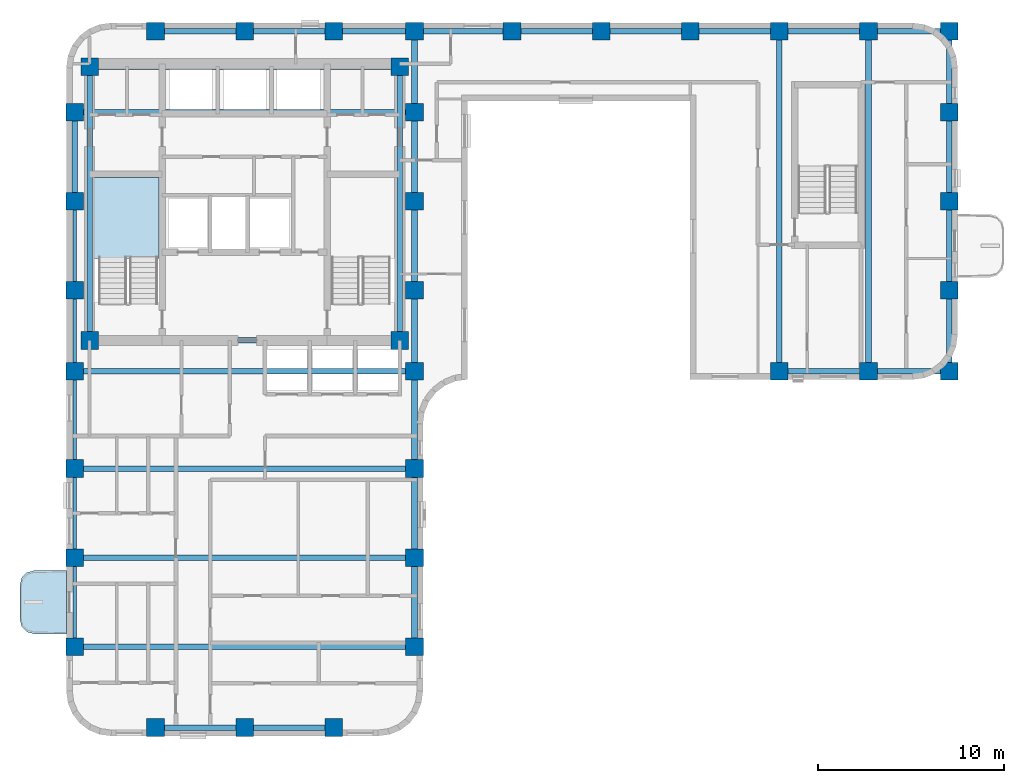
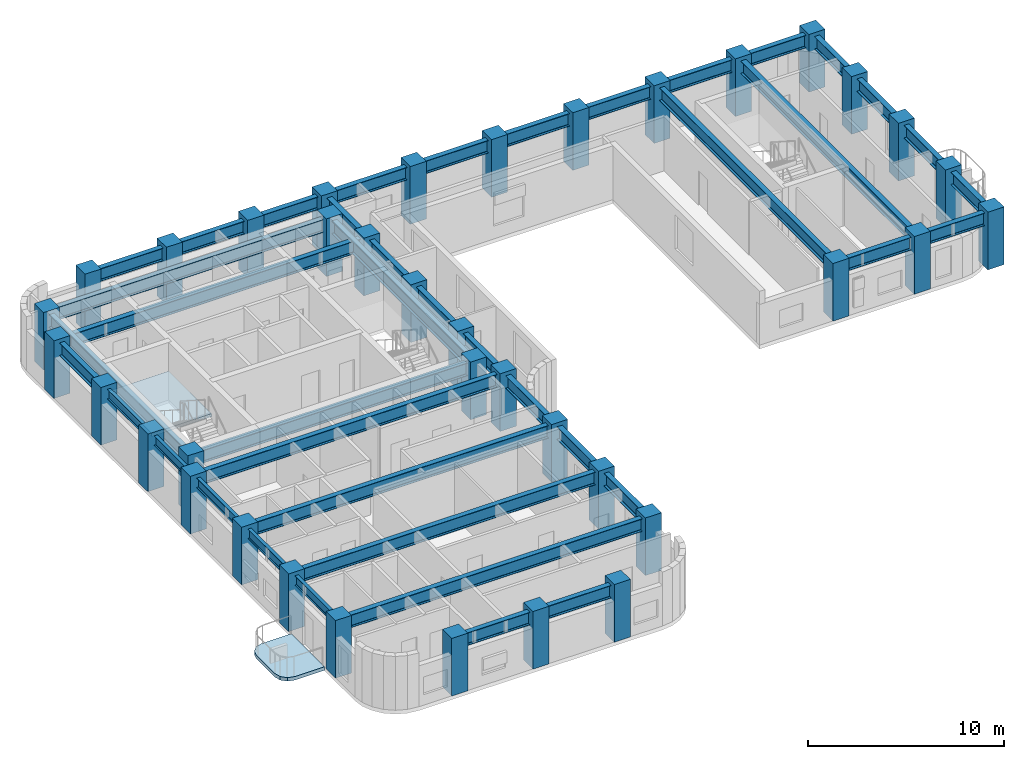
# One storey, part 1 of 10: 41 beams, 37 columns, 2 slabs, 1 element without a shape of its own.
"""IFC4 building model written with IfcOpenShell, lengths in metres."""

from ifc_helpers import new_model, si_unit, direction, frame, origin, origin_2d, place, context, subcontext, project, spatial, polyline, rectangle, i_section, outline, extrude, material, layer, layer_set, material_profile, profile_set, type_object, element, aggregate, save


model = new_model("IFC4")

# Units and contexts
model_context = context("Model", 3, precision=1e-05, world=origin(), true_north=direction((0.0, 1.0)))
body_context = subcontext(model_context, "Body", "Model", "MODEL_VIEW")
ifc_project = project(units=[si_unit("LENGTHUNIT", "METRE"), si_unit("AREAUNIT", "SQUARE_METRE"), si_unit("VOLUMEUNIT", "CUBIC_METRE"), si_unit("PLANEANGLEUNIT", "RADIAN"), si_unit("MASSUNIT", "GRAM", prefix="KILO")], contexts=[model_context])

# Site, building, storey
site_placement = place(None, origin())
site = spatial("IfcSite", under=ifc_project, at=site_placement, CompositionType="ELEMENT")
building_placement = place(site_placement, origin())
building = spatial("IfcBuilding", under=site, at=building_placement, Name="Orvandelia Arch Residences", CompositionType="ELEMENT")
storey_placement = place(building_placement, frame((0.0, 0.0, 179.199951171875)))
storey = spatial("IfcBuildingStorey", under=building, at=storey_placement, Name="L47", CompositionType="ELEMENT", Elevation=179.199951171875)

# Columns
ifc_material_1 = material(Name="Concrete C60/75", Category="concrete")
ifc_material_profile_1 = material_profile(ifc_material_1, rectangle(XDim=0.949951171875, YDim=0.949951171875, at=origin_2d()), Name="Concrete C60/75", Category="concrete")
ifc_profile_set_1 = profile_set([ifc_material_profile_1], Name="Concrete C60/75")
column_type = type_object("IfcColumnType", Name="COL-TWR-950", PredefinedType="COLUMN", material=ifc_profile_set_1)
for number, where, z_axis, x_axis, name in (
    (1, (5.25, 14.39990234375, 0.0), (0.0, 0.0, 1.0), (1.0, 0.0, 0.0), "Structural Column L47-W-W-144"),
    (2, (5.25, 19.199951171875, 0.0), (0.0, 0.0, 1.0), (1.0, 0.0, 0.0), "Structural Column L47-W-W-192"),
    (3, (5.25, 24.0, 0.0), (0.0, 0.0, 1.0), (1.0, 0.0, 0.0), "Structural Column L47-W-W-240"),
    (4, (5.25, 29.25, 0.0), (0.0, 0.0, 1.0), (1.0, 0.0, 0.0), "Structural Column L47-W-W-292"),
    (5, (5.25, 33.60009765625, 0.0), (0.0, 0.0, 1.0), (1.0, 0.0, 0.0), "Structural Column L47-W-W-336"),
    (6, (5.25, 38.39990234375, 0.0), (0.0, 0.0, 1.0), (1.0, 0.0, 0.0), "Structural Column L47-W-W-384"),
    (7, (5.25, 43.199951171875, 0.0), (0.0, 0.0, 1.0), (1.0, 0.0, 0.0), "Structural Column L47-W-W-432"),
    (8, (6.050048828125, 30.89990234375, 0.0), (0.0, 0.0, 1.0), (1.0, 0.0, 0.0), "Structural Column L47-CR-SW"),
    (9, (6.050048828125, 45.64990234375, 0.0), (0.0, 0.0, 1.0), (1.0, 0.0, 0.0), "Structural Column L47-CR-NW"),
    (10, (9.60009765625, 10.050048828125, 0.0), (0.0, 0.0, 1.0), (1.0, 0.0, 0.0), "Structural Column L47-W-S-96"),
    (11, (9.60009765625, 47.550048828125, 0.0), (0.0, 0.0, 1.0), (1.0, 0.0, 0.0), "Structural Column L47-W-N-96"),
    (12, (14.39990234375, 10.050048828125, 0.0), (0.0, 0.0, 1.0), (1.0, 0.0, 0.0), "Structural Column L47-W-S-144"),
    (13, (14.39990234375, 47.550048828125, 0.0), (0.0, 0.0, 1.0), (1.0, 0.0, 0.0), "Structural Column L47-W-N-144"),
    (14, (19.199951171875, 10.050048828125, 0.0), (0.0, 0.0, 1.0), (1.0, 0.0, 0.0), "Structural Column L47-W-S-192"),
    (15, (19.199951171875, 47.550048828125, 0.0), (0.0, 0.0, 1.0), (1.0, 0.0, 0.0), "Structural Column L47-W-N-192"),
    (16, (22.75, 30.89990234375, 0.0), (0.0, 0.0, 1.0), (1.0, 0.0, 0.0), "Structural Column L47-CR-SE"),
    (17, (22.75, 45.64990234375, 0.0), (0.0, 0.0, 1.0), (1.0, 0.0, 0.0), "Structural Column L47-CR-NE"),
    (18, (23.550048828125, 14.39990234375, 0.0), (0.0, 0.0, 1.0), (1.0, 0.0, 0.0), "Structural Column L47-W-E-144"),
    (19, (23.550048828125, 19.199951171875, 0.0), (0.0, 0.0, 1.0), (1.0, 0.0, 0.0), "Structural Column L47-W-E-192"),
    (20, (23.550048828125, 24.0, 0.0), (0.0, 0.0, 1.0), (1.0, 0.0, 0.0), "Structural Column L47-W-E-240"),
    (21, (23.550048828125, 29.25, 0.0), (0.0, 0.0, 1.0), (1.0, 0.0, 0.0), "Structural Column L47-W-E-292"),
    (22, (23.550048828125, 33.60009765625, 0.0), (0.0, 0.0, 1.0), (1.0, 0.0, 0.0), "Structural Column L47-W-E-336"),
    (23, (23.550048828125, 38.39990234375, 0.0), (0.0, 0.0, 1.0), (1.0, 0.0, 0.0), "Structural Column L47-W-E-384"),
    (24, (23.550048828125, 43.199951171875, 0.0), (0.0, 0.0, 1.0), (1.0, 0.0, 0.0), "Structural Column L47-W-E-432"),
    (25, (23.550048828125, 47.550048828125, 0.0), (0.0, 0.0, 1.0), (1.0, 0.0, 0.0), "Structural Column L47-W-N-235"),
    (26, (28.800048828125, 47.550048828125, 0.0), (0.0, 0.0, 1.0), (1.0, 0.0, 0.0), "Structural Column L47-E-N-288"),
    (27, (33.60009765625, 47.550048828125, 0.0), (0.0, 0.0, 1.0), (1.0, 0.0, 0.0), "Structural Column L47-E-N-336"),
    (28, (38.39990234375, 47.550048828125, 0.0), (0.0, 0.0, 1.0), (1.0, 0.0, 0.0), "Structural Column L47-E-N-384"),
    (29, (43.199951171875, 29.25, 0.0), (0.0, 0.0, 1.0), (1.0, 0.0, 0.0), "Structural Column L47-E-S-432"),
    (30, (43.199951171875, 47.550048828125, 0.0), (0.0, 0.0, 1.0), (1.0, 0.0, 0.0), "Structural Column L47-E-N-432"),
    (31, (48.0, 29.25, 0.0), (0.0, 0.0, 1.0), (1.0, 0.0, 0.0), "Structural Column L47-E-S-480"),
    (32, (48.0, 47.550048828125, 0.0), (0.0, 0.0, 1.0), (1.0, 0.0, 0.0), "Structural Column L47-E-N-480"),
    (33, (52.35009765625, 29.25, 0.0), (0.0, 0.0, 1.0), (1.0, 0.0, 0.0), "Structural Column L47-E-S-523"),
    (34, (52.35009765625, 33.60009765625, 0.0), (0.0, 0.0, 1.0), (1.0, 0.0, 0.0), "Structural Column L47-E-523-336"),
    (35, (52.35009765625, 38.39990234375, 0.0), (0.0, 0.0, 1.0), (1.0, 0.0, 0.0), "Structural Column L47-E-523-384"),
    (36, (52.35009765625, 43.199951171875, 0.0), (0.0, 0.0, 1.0), (1.0, 0.0, 0.0), "Structural Column L47-E-523-432"),
    (37, (52.35009765625, 47.550048828125, 0.0), (0.0, 0.0, 1.0), (1.0, 0.0, 0.0), "Structural Column L47-E-N-523"),
):
    element("IfcColumn", number, at=place(storey_placement, frame(where, z_axis=z_axis, x_axis=x_axis)), inside=storey, type_object=column_type, Name=name, PredefinedType="COLUMN", context=body_context, shape_type="SweptSolid", body=[
        extrude(rectangle(XDim=0.949951171875, YDim=0.949951171875, at=origin_2d()), origin(), (0.0, 0.0, 1.0), 3.60009765625),
    ])

# Beams
ifc_material_2 = material(Name="Structural Steel SM355 (355 MPa)", Category="steel")
ifc_material_profile_2 = material_profile(ifc_material_2, i_section(OverallWidth=0.300048828125, OverallDepth=0.800048828125, WebThickness=0.013916015625, FlangeThickness=0.02587890625, FilletRadius=0.02587890625, at=origin_2d()), Name="Structural Steel SM355 (355 MPa)", Category="steel")
ifc_profile_set_2 = profile_set([ifc_material_profile_2], Name="Structural Steel SM355 (355 MPa)")
beam_type_1 = type_object("IfcBeamType", Name="BM-GRD-H800", PredefinedType="BEAM", material=ifc_profile_set_2)
beam_1_placement = place(storey_placement, frame((5.25, 38.39990234375, 2.9599609375), z_axis=(0.0, 1.0, 0.0), x_axis=(-1.0, 0.0, 0.0)))
element("IfcBeam", 38, at=beam_1_placement, inside=storey, type_object=beam_type_1, Name="Structural Frame Beam L47-NS-006", PredefinedType="BEAM", context=body_context, shape_type="SweptSolid", body=[
    extrude(i_section(OverallWidth=0.300048828125, OverallDepth=0.800048828125, WebThickness=0.013916015625, FlangeThickness=0.02587890625, FilletRadius=0.02587890625, at=origin_2d()), origin(), (0.0, 0.0, 1.0), 4.800048828125),
])
for number, where, z_axis, x_axis, name in (
    (39, (6.050048828125, 30.89990234375, 2.9599609375), (0.0, 1.0, 0.0), (-1.0, 0.0, 0.0), "Structural Frame Beam L47-NS-007"),
    (40, (22.75, 30.89990234375, 2.9599609375), (0.0, 1.0, 0.0), (-1.0, 0.0, 0.0), "Structural Frame Beam L47-NS-008"),
):
    element("IfcBeam", number, at=place(storey_placement, frame(where, z_axis=z_axis, x_axis=x_axis)), inside=storey, type_object=beam_type_1, Name=name, PredefinedType="BEAM", context=body_context, shape_type="SweptSolid", body=[
        extrude(i_section(OverallWidth=0.300048828125, OverallDepth=0.800048828125, WebThickness=0.013916015625, FlangeThickness=0.02587890625, FilletRadius=0.02587890625, at=origin_2d()), origin(), (0.0, 0.0, 1.0), 14.75),
    ])
for number, where, z_axis, x_axis, name in (
    (41, (23.550048828125, 14.39990234375, 2.9599609375), (0.0, 1.0, 0.0), (-1.0, 0.0, 0.0), "Structural Frame Beam L47-NS-009"),
    (42, (23.550048828125, 19.199951171875, 2.9599609375), (0.0, 1.0, 0.0), (-1.0, 0.0, 0.0), "Structural Frame Beam L47-NS-010"),
):
    element("IfcBeam", number, at=place(storey_placement, frame(where, z_axis=z_axis, x_axis=x_axis)), inside=storey, type_object=beam_type_1, Name=name, PredefinedType="BEAM", context=body_context, shape_type="SweptSolid", body=[
        extrude(i_section(OverallWidth=0.300048828125, OverallDepth=0.800048828125, WebThickness=0.013916015625, FlangeThickness=0.02587890625, FilletRadius=0.02587890625, at=origin_2d()), origin(), (0.0, 0.0, 1.0), 4.800048828125),
    ])
beam_2_placement = place(storey_placement, frame((23.550048828125, 24.0, 2.9599609375), z_axis=(0.0, 1.0, 0.0), x_axis=(-1.0, 0.0, 0.0)))
element("IfcBeam", 43, at=beam_2_placement, inside=storey, type_object=beam_type_1, Name="Structural Frame Beam L47-NS-011", PredefinedType="BEAM", context=body_context, shape_type="SweptSolid", body=[
    extrude(i_section(OverallWidth=0.300048828125, OverallDepth=0.800048828125, WebThickness=0.013916015625, FlangeThickness=0.02587890625, FilletRadius=0.02587890625, at=origin_2d()), origin(), (0.0, 0.0, 1.0), 5.25),
])
beam_3_placement = place(storey_placement, frame((23.550048828125, 29.25, 2.9599609375), z_axis=(0.0, 1.0, 0.0), x_axis=(-1.0, 0.0, 0.0)))
element("IfcBeam", 44, at=beam_3_placement, inside=storey, type_object=beam_type_1, Name="Structural Frame Beam L47-NS-012", PredefinedType="BEAM", context=body_context, shape_type="SweptSolid", body=[
    extrude(i_section(OverallWidth=0.300048828125, OverallDepth=0.800048828125, WebThickness=0.013916015625, FlangeThickness=0.02587890625, FilletRadius=0.02587890625, at=origin_2d()), origin(), (0.0, 0.0, 1.0), 4.35009765625),
])
beam_4_placement = place(storey_placement, frame((23.550048828125, 33.60009765625, 2.9599609375), z_axis=(0.0, 1.0, 0.0), x_axis=(-1.0, 0.0, 0.0)))
element("IfcBeam", 45, at=beam_4_placement, inside=storey, type_object=beam_type_1, Name="Structural Frame Beam L47-NS-013", PredefinedType="BEAM", context=body_context, shape_type="SweptSolid", body=[
    extrude(i_section(OverallWidth=0.300048828125, OverallDepth=0.800048828125, WebThickness=0.013916015625, FlangeThickness=0.02587890625, FilletRadius=0.02587890625, at=origin_2d()), origin(), (0.0, 0.0, 1.0), 4.7998046875),
])
beam_5_placement = place(storey_placement, frame((23.550048828125, 38.39990234375, 2.9599609375), z_axis=(0.0, 1.0, 0.0), x_axis=(-1.0, 0.0, 0.0)))
element("IfcBeam", 46, at=beam_5_placement, inside=storey, type_object=beam_type_1, Name="Structural Frame Beam L47-NS-014", PredefinedType="BEAM", context=body_context, shape_type="SweptSolid", body=[
    extrude(i_section(OverallWidth=0.300048828125, OverallDepth=0.800048828125, WebThickness=0.013916015625, FlangeThickness=0.02587890625, FilletRadius=0.02587890625, at=origin_2d()), origin(), (0.0, 0.0, 1.0), 4.800048828125),
])
beam_6_placement = place(storey_placement, frame((23.550048828125, 43.199951171875, 2.9599609375), z_axis=(0.0, 1.0, 0.0), x_axis=(-1.0, 0.0, 0.0)))
element("IfcBeam", 47, at=beam_6_placement, inside=storey, type_object=beam_type_1, Name="Structural Frame Beam L47-NS-015", PredefinedType="BEAM", context=body_context, shape_type="SweptSolid", body=[
    extrude(i_section(OverallWidth=0.300048828125, OverallDepth=0.800048828125, WebThickness=0.013916015625, FlangeThickness=0.02587890625, FilletRadius=0.02587890625, at=origin_2d()), origin(), (0.0, 0.0, 1.0), 4.35009765625),
])
for number, where, z_axis, x_axis, name in (
    (48, (43.199951171875, 29.25, 2.9599609375), (0.0, 1.0, 0.0), (-1.0, 0.0, 0.0), "Structural Frame Beam L47-NS-016"),
    (49, (48.0, 29.25, 2.9599609375), (0.0, 1.0, 0.0), (-1.0, 0.0, 0.0), "Structural Frame Beam L47-NS-017"),
):
    element("IfcBeam", number, at=place(storey_placement, frame(where, z_axis=z_axis, x_axis=x_axis)), inside=storey, type_object=beam_type_1, Name=name, PredefinedType="BEAM", context=body_context, shape_type="SweptSolid", body=[
        extrude(i_section(OverallWidth=0.300048828125, OverallDepth=0.800048828125, WebThickness=0.013916015625, FlangeThickness=0.02587890625, FilletRadius=0.02587890625, at=origin_2d()), origin(), (0.0, 0.0, 1.0), 18.300048828125),
    ])
beam_7_placement = place(storey_placement, frame((52.35009765625, 29.25, 2.9599609375), z_axis=(0.0, 1.0, 0.0), x_axis=(-1.0, 0.0, 0.0)))
element("IfcBeam", 50, at=beam_7_placement, inside=storey, type_object=beam_type_1, Name="Structural Frame Beam L47-NS-018", PredefinedType="BEAM", context=body_context, shape_type="SweptSolid", body=[
    extrude(i_section(OverallWidth=0.300048828125, OverallDepth=0.800048828125, WebThickness=0.013916015625, FlangeThickness=0.02587890625, FilletRadius=0.02587890625, at=origin_2d()), origin(), (0.0, 0.0, 1.0), 4.35009765625),
])
beam_8_placement = place(storey_placement, frame((52.35009765625, 33.60009765625, 2.9599609375), z_axis=(0.0, 1.0, 0.0), x_axis=(-1.0, 0.0, 0.0)))
element("IfcBeam", 51, at=beam_8_placement, inside=storey, type_object=beam_type_1, Name="Structural Frame Beam L47-NS-019", PredefinedType="BEAM", context=body_context, shape_type="SweptSolid", body=[
    extrude(i_section(OverallWidth=0.300048828125, OverallDepth=0.800048828125, WebThickness=0.013916015625, FlangeThickness=0.02587890625, FilletRadius=0.02587890625, at=origin_2d()), origin(), (0.0, 0.0, 1.0), 4.7998046875),
])
beam_9_placement = place(storey_placement, frame((52.35009765625, 38.39990234375, 2.9599609375), z_axis=(0.0, 1.0, 0.0), x_axis=(-1.0, 0.0, 0.0)))
element("IfcBeam", 52, at=beam_9_placement, inside=storey, type_object=beam_type_1, Name="Structural Frame Beam L47-NS-020", PredefinedType="BEAM", context=body_context, shape_type="SweptSolid", body=[
    extrude(i_section(OverallWidth=0.300048828125, OverallDepth=0.800048828125, WebThickness=0.013916015625, FlangeThickness=0.02587890625, FilletRadius=0.02587890625, at=origin_2d()), origin(), (0.0, 0.0, 1.0), 4.800048828125),
])
beam_10_placement = place(storey_placement, frame((52.35009765625, 43.199951171875, 2.9599609375), z_axis=(0.0, 1.0, 0.0), x_axis=(-1.0, 0.0, 0.0)))
element("IfcBeam", 53, at=beam_10_placement, inside=storey, type_object=beam_type_1, Name="Structural Frame Beam L47-NS-021", PredefinedType="BEAM", context=body_context, shape_type="SweptSolid", body=[
    extrude(i_section(OverallWidth=0.300048828125, OverallDepth=0.800048828125, WebThickness=0.013916015625, FlangeThickness=0.02587890625, FilletRadius=0.02587890625, at=origin_2d()), origin(), (0.0, 0.0, 1.0), 4.35009765625),
])
beam_11_placement = place(storey_placement, frame((9.60009765625, 10.050048828125, 2.9599609375), z_axis=(1.0, 0.0, 0.0), x_axis=(0.0, 1.0, 0.0)))
element("IfcBeam", 54, at=beam_11_placement, inside=storey, type_object=beam_type_1, Name="Structural Frame Girder L47-EW-022", PredefinedType="BEAM", context=body_context, shape_type="SweptSolid", body=[
    extrude(i_section(OverallWidth=0.300048828125, OverallDepth=0.800048828125, WebThickness=0.013916015625, FlangeThickness=0.02587890625, FilletRadius=0.02587890625, at=origin_2d()), origin(), (0.0, 0.0, 1.0), 4.7998046875),
])
beam_12_placement = place(storey_placement, frame((14.39990234375, 10.050048828125, 2.9599609375), z_axis=(1.0, 0.0, 0.0), x_axis=(0.0, 1.0, 0.0)))
element("IfcBeam", 55, at=beam_12_placement, inside=storey, type_object=beam_type_1, Name="Structural Frame Girder L47-EW-023", PredefinedType="BEAM", context=body_context, shape_type="SweptSolid", body=[
    extrude(i_section(OverallWidth=0.300048828125, OverallDepth=0.800048828125, WebThickness=0.013916015625, FlangeThickness=0.02587890625, FilletRadius=0.02587890625, at=origin_2d()), origin(), (0.0, 0.0, 1.0), 4.800048828125),
])
for number, where, z_axis, x_axis, name in (
    (56, (5.25, 14.39990234375, 2.9599609375), (1.0, 0.0, 0.0), (0.0, 1.0, 0.0), "Structural Frame Girder L47-EW-024"),
    (57, (5.25, 19.199951171875, 2.9599609375), (1.0, 0.0, 0.0), (0.0, 1.0, 0.0), "Structural Frame Girder L47-EW-025"),
    (58, (5.25, 24.0, 2.9599609375), (1.0, 0.0, 0.0), (0.0, 1.0, 0.0), "Structural Frame Girder L47-EW-026"),
    (59, (5.25, 29.25, 2.9599609375), (1.0, 0.0, 0.0), (0.0, 1.0, 0.0), "Structural Frame Girder L47-EW-027"),
):
    element("IfcBeam", number, at=place(storey_placement, frame(where, z_axis=z_axis, x_axis=x_axis)), inside=storey, type_object=beam_type_1, Name=name, PredefinedType="BEAM", context=body_context, shape_type="SweptSolid", body=[
        extrude(i_section(OverallWidth=0.300048828125, OverallDepth=0.800048828125, WebThickness=0.013916015625, FlangeThickness=0.02587890625, FilletRadius=0.02587890625, at=origin_2d()), origin(), (0.0, 0.0, 1.0), 18.300048828125),
    ])
beam_13_placement = place(storey_placement, frame((43.199951171875, 29.25, 2.9599609375), z_axis=(1.0, 0.0, 0.0), x_axis=(0.0, 1.0, 0.0)))
element("IfcBeam", 60, at=beam_13_placement, inside=storey, type_object=beam_type_1, Name="Structural Frame Girder L47-EW-028", PredefinedType="BEAM", context=body_context, shape_type="SweptSolid", body=[
    extrude(i_section(OverallWidth=0.300048828125, OverallDepth=0.800048828125, WebThickness=0.013916015625, FlangeThickness=0.02587890625, FilletRadius=0.02587890625, at=origin_2d()), origin(), (0.0, 0.0, 1.0), 4.800048828125),
])
beam_14_placement = place(storey_placement, frame((48.0, 29.25, 2.9599609375), z_axis=(1.0, 0.0, 0.0), x_axis=(0.0, 1.0, 0.0)))
element("IfcBeam", 61, at=beam_14_placement, inside=storey, type_object=beam_type_1, Name="Structural Frame Girder L47-EW-029", PredefinedType="BEAM", context=body_context, shape_type="SweptSolid", body=[
    extrude(i_section(OverallWidth=0.300048828125, OverallDepth=0.800048828125, WebThickness=0.013916015625, FlangeThickness=0.02587890625, FilletRadius=0.02587890625, at=origin_2d()), origin(), (0.0, 0.0, 1.0), 4.35009765625),
])
beam_15_placement = place(storey_placement, frame((6.050048828125, 30.89990234375, 2.9599609375), z_axis=(1.0, 0.0, 0.0), x_axis=(0.0, 1.0, 0.0)))
element("IfcBeam", 62, at=beam_15_placement, inside=storey, type_object=beam_type_1, Name="Structural Frame Girder L47-EW-030", PredefinedType="BEAM", context=body_context, shape_type="SweptSolid", body=[
    extrude(i_section(OverallWidth=0.300048828125, OverallDepth=0.800048828125, WebThickness=0.013916015625, FlangeThickness=0.02587890625, FilletRadius=0.02587890625, at=origin_2d()), origin(), (0.0, 0.0, 1.0), 16.699951171875),
])
beam_16_placement = place(storey_placement, frame((5.25, 43.199951171875, 2.9599609375), z_axis=(1.0, 0.0, 0.0), x_axis=(0.0, 1.0, 0.0)))
element("IfcBeam", 63, at=beam_16_placement, inside=storey, type_object=beam_type_1, Name="Structural Frame Girder L47-EW-033", PredefinedType="BEAM", context=body_context, shape_type="SweptSolid", body=[
    extrude(i_section(OverallWidth=0.300048828125, OverallDepth=0.800048828125, WebThickness=0.013916015625, FlangeThickness=0.02587890625, FilletRadius=0.02587890625, at=origin_2d()), origin(), (0.0, 0.0, 1.0), 18.300048828125),
])
beam_17_placement = place(storey_placement, frame((6.050048828125, 45.64990234375, 2.9599609375), z_axis=(1.0, 0.0, 0.0), x_axis=(0.0, 1.0, 0.0)))
element("IfcBeam", 64, at=beam_17_placement, inside=storey, type_object=beam_type_1, Name="Structural Frame Girder L47-EW-034", PredefinedType="BEAM", context=body_context, shape_type="SweptSolid", body=[
    extrude(i_section(OverallWidth=0.300048828125, OverallDepth=0.800048828125, WebThickness=0.013916015625, FlangeThickness=0.02587890625, FilletRadius=0.02587890625, at=origin_2d()), origin(), (0.0, 0.0, 1.0), 16.699951171875),
])
beam_18_placement = place(storey_placement, frame((9.60009765625, 47.550048828125, 2.9599609375), z_axis=(1.0, 0.0, 0.0), x_axis=(0.0, 1.0, 0.0)))
element("IfcBeam", 65, at=beam_18_placement, inside=storey, type_object=beam_type_1, Name="Structural Frame Girder L47-EW-035", PredefinedType="BEAM", context=body_context, shape_type="SweptSolid", body=[
    extrude(i_section(OverallWidth=0.300048828125, OverallDepth=0.800048828125, WebThickness=0.013916015625, FlangeThickness=0.02587890625, FilletRadius=0.02587890625, at=origin_2d()), origin(), (0.0, 0.0, 1.0), 4.7998046875),
])
beam_19_placement = place(storey_placement, frame((14.39990234375, 47.550048828125, 2.9599609375), z_axis=(1.0, 0.0, 0.0), x_axis=(0.0, 1.0, 0.0)))
element("IfcBeam", 66, at=beam_19_placement, inside=storey, type_object=beam_type_1, Name="Structural Frame Girder L47-EW-036", PredefinedType="BEAM", context=body_context, shape_type="SweptSolid", body=[
    extrude(i_section(OverallWidth=0.300048828125, OverallDepth=0.800048828125, WebThickness=0.013916015625, FlangeThickness=0.02587890625, FilletRadius=0.02587890625, at=origin_2d()), origin(), (0.0, 0.0, 1.0), 4.800048828125),
])
beam_20_placement = place(storey_placement, frame((19.199951171875, 47.550048828125, 2.9599609375), z_axis=(1.0, 0.0, 0.0), x_axis=(0.0, 1.0, 0.0)))
element("IfcBeam", 67, at=beam_20_placement, inside=storey, type_object=beam_type_1, Name="Structural Frame Girder L47-EW-037", PredefinedType="BEAM", context=body_context, shape_type="SweptSolid", body=[
    extrude(i_section(OverallWidth=0.300048828125, OverallDepth=0.800048828125, WebThickness=0.013916015625, FlangeThickness=0.02587890625, FilletRadius=0.02587890625, at=origin_2d()), origin(), (0.0, 0.0, 1.0), 4.35009765625),
])
beam_21_placement = place(storey_placement, frame((23.550048828125, 47.550048828125, 2.9599609375), z_axis=(1.0, 0.0, 0.0), x_axis=(0.0, 1.0, 0.0)))
element("IfcBeam", 68, at=beam_21_placement, inside=storey, type_object=beam_type_1, Name="Structural Frame Girder L47-EW-038", PredefinedType="BEAM", context=body_context, shape_type="SweptSolid", body=[
    extrude(i_section(OverallWidth=0.300048828125, OverallDepth=0.800048828125, WebThickness=0.013916015625, FlangeThickness=0.02587890625, FilletRadius=0.02587890625, at=origin_2d()), origin(), (0.0, 0.0, 1.0), 5.25),
])
beam_22_placement = place(storey_placement, frame((28.800048828125, 47.550048828125, 2.9599609375), z_axis=(1.0, 0.0, 0.0), x_axis=(0.0, 1.0, 0.0)))
element("IfcBeam", 69, at=beam_22_placement, inside=storey, type_object=beam_type_1, Name="Structural Frame Girder L47-EW-039", PredefinedType="BEAM", context=body_context, shape_type="SweptSolid", body=[
    extrude(i_section(OverallWidth=0.300048828125, OverallDepth=0.800048828125, WebThickness=0.013916015625, FlangeThickness=0.02587890625, FilletRadius=0.02587890625, at=origin_2d()), origin(), (0.0, 0.0, 1.0), 4.800048828125),
])
beam_23_placement = place(storey_placement, frame((33.60009765625, 47.550048828125, 2.9599609375), z_axis=(1.0, 0.0, 0.0), x_axis=(0.0, 1.0, 0.0)))
element("IfcBeam", 70, at=beam_23_placement, inside=storey, type_object=beam_type_1, Name="Structural Frame Girder L47-EW-040", PredefinedType="BEAM", context=body_context, shape_type="SweptSolid", body=[
    extrude(i_section(OverallWidth=0.300048828125, OverallDepth=0.800048828125, WebThickness=0.013916015625, FlangeThickness=0.02587890625, FilletRadius=0.02587890625, at=origin_2d()), origin(), (0.0, 0.0, 1.0), 4.7998046875),
])
for number, where, z_axis, x_axis, name in (
    (71, (38.39990234375, 47.550048828125, 2.9599609375), (1.0, 0.0, 0.0), (0.0, 1.0, 0.0), "Structural Frame Girder L47-EW-041"),
    (72, (43.199951171875, 47.550048828125, 2.9599609375), (1.0, 0.0, 0.0), (0.0, 1.0, 0.0), "Structural Frame Girder L47-EW-042"),
):
    element("IfcBeam", number, at=place(storey_placement, frame(where, z_axis=z_axis, x_axis=x_axis)), inside=storey, type_object=beam_type_1, Name=name, PredefinedType="BEAM", context=body_context, shape_type="SweptSolid", body=[
        extrude(i_section(OverallWidth=0.300048828125, OverallDepth=0.800048828125, WebThickness=0.013916015625, FlangeThickness=0.02587890625, FilletRadius=0.02587890625, at=origin_2d()), origin(), (0.0, 0.0, 1.0), 4.800048828125),
    ])
beam_24_placement = place(storey_placement, frame((48.0, 47.550048828125, 2.9599609375), z_axis=(1.0, 0.0, 0.0), x_axis=(0.0, 1.0, 0.0)))
element("IfcBeam", 73, at=beam_24_placement, inside=storey, type_object=beam_type_1, Name="Structural Frame Girder L47-EW-043", PredefinedType="BEAM", context=body_context, shape_type="SweptSolid", body=[
    extrude(i_section(OverallWidth=0.300048828125, OverallDepth=0.800048828125, WebThickness=0.013916015625, FlangeThickness=0.02587890625, FilletRadius=0.02587890625, at=origin_2d()), origin(), (0.0, 0.0, 1.0), 4.35009765625),
])
ifc_material_profile_3 = material_profile(ifc_material_2, i_section(OverallWidth=0.199951171875, OverallDepth=0.60009765625, WebThickness=0.010986328125, FlangeThickness=0.01708984375, FilletRadius=0.02197265625, at=origin_2d()), Name="Structural Steel SM355 (355 MPa)", Category="steel")
ifc_profile_set_3 = profile_set([ifc_material_profile_3], Name="Structural Steel SM355 (355 MPa)")
beam_type_2 = type_object("IfcBeamType", Name="BM-SPN-H600", PredefinedType="SPANDREL", material=ifc_profile_set_3)
for number, where, z_axis, x_axis, name in (
    (74, (5.25, 14.39990234375, 3.06005859375), (0.0, 1.0, 0.0), (-1.0, 0.0, 0.0), "Structural Frame Beam L47-NS-001"),
    (75, (5.25, 19.199951171875, 3.06005859375), (0.0, 1.0, 0.0), (-1.0, 0.0, 0.0), "Structural Frame Beam L47-NS-002"),
):
    element("IfcBeam", number, at=place(storey_placement, frame(where, z_axis=z_axis, x_axis=x_axis)), inside=storey, type_object=beam_type_2, Name=name, PredefinedType="SPANDREL", context=body_context, shape_type="SweptSolid", body=[
        extrude(i_section(OverallWidth=0.199951171875, OverallDepth=0.60009765625, WebThickness=0.010986328125, FlangeThickness=0.01708984375, FilletRadius=0.02197265625, at=origin_2d()), origin(), (0.0, 0.0, 1.0), 4.800048828125),
    ])
beam_25_placement = place(storey_placement, frame((5.25, 24.0, 3.06005859375), z_axis=(0.0, 1.0, 0.0), x_axis=(-1.0, 0.0, 0.0)))
element("IfcBeam", 76, at=beam_25_placement, inside=storey, type_object=beam_type_2, Name="Structural Frame Beam L47-NS-003", PredefinedType="SPANDREL", context=body_context, shape_type="SweptSolid", body=[
    extrude(i_section(OverallWidth=0.199951171875, OverallDepth=0.60009765625, WebThickness=0.010986328125, FlangeThickness=0.01708984375, FilletRadius=0.02197265625, at=origin_2d()), origin(), (0.0, 0.0, 1.0), 5.25),
])
beam_26_placement = place(storey_placement, frame((5.25, 29.25, 3.06005859375), z_axis=(0.0, 1.0, 0.0), x_axis=(-1.0, 0.0, 0.0)))
element("IfcBeam", 77, at=beam_26_placement, inside=storey, type_object=beam_type_2, Name="Structural Frame Beam L47-NS-004", PredefinedType="SPANDREL", context=body_context, shape_type="SweptSolid", body=[
    extrude(i_section(OverallWidth=0.199951171875, OverallDepth=0.60009765625, WebThickness=0.010986328125, FlangeThickness=0.01708984375, FilletRadius=0.02197265625, at=origin_2d()), origin(), (0.0, 0.0, 1.0), 4.35009765625),
])
beam_27_placement = place(storey_placement, frame((5.25, 33.60009765625, 3.06005859375), z_axis=(0.0, 1.0, 0.0), x_axis=(-1.0, 0.0, 0.0)))
element("IfcBeam", 78, at=beam_27_placement, inside=storey, type_object=beam_type_2, Name="Structural Frame Beam L47-NS-005", PredefinedType="SPANDREL", context=body_context, shape_type="SweptSolid", body=[
    extrude(i_section(OverallWidth=0.199951171875, OverallDepth=0.60009765625, WebThickness=0.010986328125, FlangeThickness=0.01708984375, FilletRadius=0.02197265625, at=origin_2d()), origin(), (0.0, 0.0, 1.0), 4.7998046875),
])

# Slab
ifc_material_3 = material(Name="Precast concrete C40/50", Category="concrete")
ifc_layer_1 = layer(ifc_material_3, 0.219970703125, Name="Precast concrete C40/50", Category="concrete")
ifc_layer_set_1 = layer_set([ifc_layer_1], Name="Precast concrete C40/50")
slab_type_1 = type_object("IfcSlabType", Name="SLB-BAL-220", PredefinedType="USERDEFINED", material=ifc_layer_set_1)
slab_1_placement = place(storey_placement, frame((0.0, 0.0, -0.219970703125)))
element("IfcSlab", 79, at=slab_1_placement, inside=storey, type_object=slab_type_1, Name="Tree Balcony Cantilever Slab BAL-L47-W1", ObjectType="BALCONY", PredefinedType="USERDEFINED", context=body_context, shape_type="SweptSolid", body=[
    extrude(outline(polyline([(4.800048828125, 15.10009765625), (4.800048828125, 18.5), (3.050048828125, 18.5), (2.675048828125, 18.3994140625), (2.400390625, 18.125), (2.300048828125, 17.75), (2.300048828125, 15.85009765625), (2.400390625, 15.47509765625), (2.675048828125, 15.200439453125), (3.050048828125, 15.10009765625), (4.800048828125, 15.10009765625)])), origin(), (0.0, 0.0, 1.0), 0.219970703125),
])

# Stair, slab
ifc_material_4 = material(Name="Concrete C40/50", Category="concrete")
stair_type = type_object("IfcStairType", Name="STAIR-RC-DOGLEG", PredefinedType="HALF_TURN_STAIR", material=ifc_material_4)
stair_placement = place(storey_placement, origin())
stair = element("IfcStair", 80, at=stair_placement, inside=storey, type_object=stair_type, Name="L47 Protected Exit Stair ST-1", PredefinedType="HALF_TURN_STAIR")
ifc_layer_2 = layer(ifc_material_4, 0.219970703125, Name="Concrete C40/50", Category="concrete")
ifc_layer_set_2 = layer_set([ifc_layer_2], Name="Concrete C40/50")
slab_type_2 = type_object("IfcSlabType", Name="SLB-LANDING-220", PredefinedType="LANDING", material=ifc_layer_set_2)
slab_2_placement = place(storey_placement, frame((0.0, 0.0, 1.60009765625)))
slab_2 = element("IfcSlab", 81, at=slab_2_placement, type_object=slab_type_2, Name="ST-1 landing 1", PredefinedType="LANDING", context=body_context, shape_type="SweptSolid", body=[
    extrude(outline(polyline([(9.800048828125, 35.31005859375), (9.800048828125, 39.68994140625), (6.260009765625, 39.68994140625), (6.260009765625, 35.31005859375), (9.800048828125, 35.31005859375)])), origin(), (0.0, 0.0, 1.0), 0.199951171875),
])
aggregate(stair, [slab_2])

save(model, "model.ifc")
